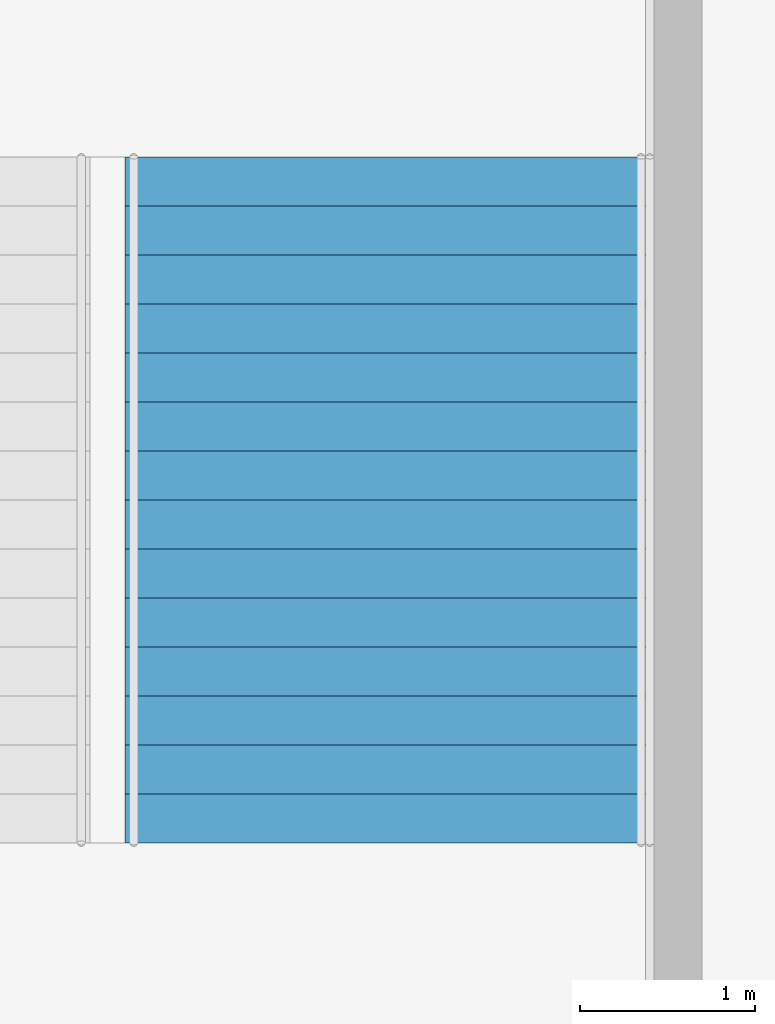
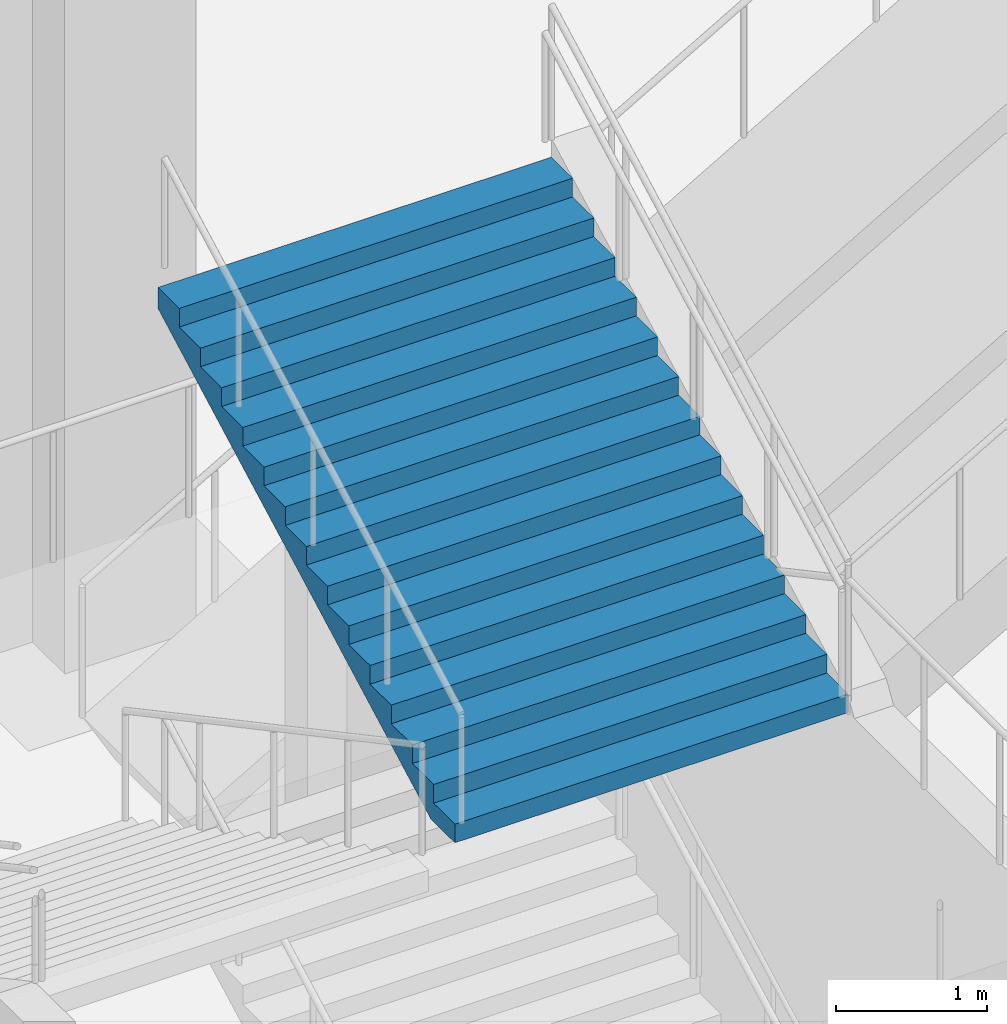
# One storey, part 99 of 113: 1 stair flight, 1 element without a shape of its own.
"""IFC4 building model written with IfcOpenShell, lengths in metres."""

from ifc_helpers import new_model, si_unit, direction, frame, origin, place, context, subcontext, project, spatial, triangles, material, type_object, element, aggregate, save


model = new_model("IFC4")

# Units and contexts
model_context = context("Model", 3, precision=1e-05, world=origin(), true_north=direction((0.0, 1.0)))
body_context = subcontext(model_context, "Body", "Model", "MODEL_VIEW")
ifc_project = project(units=[si_unit("LENGTHUNIT", "METRE"), si_unit("AREAUNIT", "SQUARE_METRE"), si_unit("VOLUMEUNIT", "CUBIC_METRE"), si_unit("PLANEANGLEUNIT", "RADIAN"), si_unit("MASSUNIT", "GRAM", prefix="KILO")], contexts=[model_context])

# Site, building, storey
site_placement = place(None, origin())
site = spatial("IfcSite", under=ifc_project, at=site_placement, CompositionType="ELEMENT")
building_placement = place(site_placement, origin())
building = spatial("IfcBuilding", under=site, at=building_placement, Name="Hakoniwa Tower and Hamabe Station Hall", CompositionType="ELEMENT")
storey_placement = place(building_placement, origin())
storey = spatial("IfcBuildingStorey", under=building, at=storey_placement, Name="L01", CompositionType="ELEMENT", Elevation=0.0)

# Stair, stair flight
ifc_material_1 = material(Name="Concrete C40", Category="concrete")
stair_type = type_object("IfcStairType", Name="STAIR 3000 15X150", PredefinedType="HALF_TURN_STAIR", material=ifc_material_1)
stair_placement = place(storey_placement, origin())
stair = element("IfcStair", 1, at=stair_placement, inside=storey, type_object=stair_type, Name="Concourse stair 1 L01-L02", PredefinedType="HALF_TURN_STAIR")
ifc_material_2 = material(Name="Concrete C40", Category="concrete")
stair_flight_type = type_object("IfcStairFlightType", Name="STAIR FLIGHT 3000", PredefinedType="STRAIGHT", material=ifc_material_2)
stair_flight_placement = place(storey_placement, frame((124.989990234375, -4.02001953125, 6.75), z_axis=(0.0, 0.0, 1.0), x_axis=(0.0, 1.0, 0.0)))
stair_flight = element("IfcStairFlight", 2, at=stair_flight_placement, type_object=stair_flight_type, Name="CS1 flight 4", NumberOfRisers=15, NumberOfTreads=14, PredefinedType="STRAIGHT", RiserHeight=0.15, TreadLength=0.28, context=body_context, shape_type="Tessellation", body=[
    triangles([(0.0, 1.5, 0.0), (0.280029296875, 1.5, 0.0), (0.3173828125, 1.5, 0.0), (0.56005859375, 1.5, 0.1298828125), (0.840087890625, 1.5, 0.280029296875), (1.1201171875, 1.5, 0.429931640625), (1.39990234375, 1.5, 0.579833984375), (1.679931640625, 1.5, 0.72998046875), (1.9599609375, 1.5, 0.8798828125), (2.239990234375, 1.5, 1.030029296875), (2.52001953125, 1.5, 1.179931640625), (2.800048828125, 1.5, 1.329833984375), (3.080078125, 1.5, 1.47998046875), (3.360107421875, 1.5, 1.6298828125), (3.639892578125, 1.5, 1.780029296875), (3.919921875, 1.5, 1.929931640625), (3.919921875, 1.5, 2.10009765625), (3.639892578125, 1.5, 2.10009765625), (3.639892578125, 1.5, 1.949951171875), (3.360107421875, 1.5, 1.949951171875), (3.360107421875, 1.5, 1.800048828125), (3.080078125, 1.5, 1.800048828125), (3.080078125, 1.5, 1.64990234375), (2.800048828125, 1.5, 1.64990234375), (2.800048828125, 1.5, 1.5), (2.52001953125, 1.5, 1.5), (2.52001953125, 1.5, 1.35009765625), (2.239990234375, 1.5, 1.35009765625), (2.239990234375, 1.5, 1.199951171875), (1.9599609375, 1.5, 1.199951171875), (1.9599609375, 1.5, 1.050048828125), (1.679931640625, 1.5, 1.050048828125), (1.679931640625, 1.5, 0.89990234375), (1.39990234375, 1.5, 0.89990234375), (1.39990234375, 1.5, 0.75), (1.1201171875, 1.5, 0.75), (1.1201171875, 1.5, 0.60009765625), (0.840087890625, 1.5, 0.60009765625), (0.840087890625, 1.5, 0.449951171875), (0.56005859375, 1.5, 0.449951171875), (0.56005859375, 1.5, 0.300048828125), (0.3173828125, 1.5, 0.300048828125), (0.280029296875, 1.5, 0.300048828125), (0.280029296875, 1.5, 0.14990234375), (0.0, 1.5, 0.14990234375), (0.0, 0.06005859375, 0.0), (0.280029296875, 0.06005859375, 0.0), (0.3173828125, 0.06005859375, 0.0), (0.56005859375, 0.06005859375, 0.1298828125), (0.840087890625, 0.06005859375, 0.280029296875), (1.1201171875, 0.06005859375, 0.429931640625), (1.39990234375, 0.06005859375, 0.579833984375), (1.679931640625, 0.06005859375, 0.72998046875), (1.9599609375, 0.06005859375, 0.8798828125), (2.239990234375, 0.06005859375, 1.030029296875), (2.52001953125, 0.06005859375, 1.179931640625), (2.800048828125, 0.06005859375, 1.329833984375), (3.080078125, 0.06005859375, 1.47998046875), (3.360107421875, 0.06005859375, 1.6298828125), (3.639892578125, 0.06005859375, 1.780029296875), (3.919921875, 0.06005859375, 1.929931640625), (3.919921875, 0.06005859375, 2.10009765625), (3.639892578125, 0.06005859375, 2.10009765625), (3.639892578125, 0.06005859375, 1.949951171875), (3.360107421875, 0.06005859375, 1.949951171875), (3.360107421875, 0.06005859375, 1.800048828125), (3.080078125, 0.06005859375, 1.800048828125), (3.080078125, 0.06005859375, 1.64990234375), (2.800048828125, 0.06005859375, 1.64990234375), (2.800048828125, 0.06005859375, 1.5), (2.52001953125, 0.06005859375, 1.5), (2.52001953125, 0.06005859375, 1.35009765625), (2.239990234375, 0.06005859375, 1.35009765625), (2.239990234375, 0.06005859375, 1.199951171875), (1.9599609375, 0.06005859375, 1.199951171875), (1.9599609375, 0.06005859375, 1.050048828125), (1.679931640625, 0.06005859375, 1.050048828125), (1.679931640625, 0.06005859375, 0.89990234375), (1.39990234375, 0.06005859375, 0.89990234375), (1.39990234375, 0.06005859375, 0.75), (1.1201171875, 0.06005859375, 0.75), (1.1201171875, 0.06005859375, 0.60009765625), (0.840087890625, 0.06005859375, 0.60009765625), (0.840087890625, 0.06005859375, 0.449951171875), (0.56005859375, 0.06005859375, 0.449951171875), (0.56005859375, 0.06005859375, 0.300048828125), (0.3173828125, 0.06005859375, 0.300048828125), (0.280029296875, 0.06005859375, 0.300048828125), (0.280029296875, 0.06005859375, 0.14990234375), (0.0, 0.06005859375, 0.14990234375), (0.0, 0.02001953125, 0.0), (0.280029296875, 0.02001953125, 0.0), (0.3173828125, 0.02001953125, 0.0), (0.56005859375, 0.02001953125, 0.1298828125), (0.840087890625, 0.02001953125, 0.280029296875), (1.1201171875, 0.02001953125, 0.429931640625), (1.39990234375, 0.02001953125, 0.579833984375), (1.679931640625, 0.02001953125, 0.72998046875), (1.9599609375, 0.02001953125, 0.8798828125), (2.239990234375, 0.02001953125, 1.030029296875), (2.52001953125, 0.02001953125, 1.179931640625), (2.800048828125, 0.02001953125, 1.329833984375), (3.080078125, 0.02001953125, 1.47998046875), (3.360107421875, 0.02001953125, 1.6298828125), (3.639892578125, 0.02001953125, 1.780029296875), (3.919921875, 0.02001953125, 1.929931640625), (3.919921875, 0.02001953125, 2.10009765625), (3.639892578125, 0.02001953125, 2.10009765625), (3.639892578125, 0.02001953125, 1.949951171875), (3.360107421875, 0.02001953125, 1.949951171875), (3.360107421875, 0.02001953125, 1.800048828125), (3.080078125, 0.02001953125, 1.800048828125), (3.080078125, 0.02001953125, 1.64990234375), (2.800048828125, 0.02001953125, 1.64990234375), (2.800048828125, 0.02001953125, 1.5), (2.52001953125, 0.02001953125, 1.5), (2.52001953125, 0.02001953125, 1.35009765625), (2.239990234375, 0.02001953125, 1.35009765625), (2.239990234375, 0.02001953125, 1.199951171875), (1.9599609375, 0.02001953125, 1.199951171875), (1.9599609375, 0.02001953125, 1.050048828125), (1.679931640625, 0.02001953125, 1.050048828125), (1.679931640625, 0.02001953125, 0.89990234375), (1.39990234375, 0.02001953125, 0.89990234375), (1.39990234375, 0.02001953125, 0.75), (1.1201171875, 0.02001953125, 0.75), (1.1201171875, 0.02001953125, 0.60009765625), (0.840087890625, 0.02001953125, 0.60009765625), (0.840087890625, 0.02001953125, 0.449951171875), (0.56005859375, 0.02001953125, 0.449951171875), (0.56005859375, 0.02001953125, 0.300048828125), (0.3173828125, 0.02001953125, 0.300048828125), (0.280029296875, 0.02001953125, 0.300048828125), (0.280029296875, 0.02001953125, 0.14990234375), (0.0, 0.02001953125, 0.14990234375), (0.0, -0.02001953125, 0.0), (0.280029296875, -0.02001953125, 0.0), (0.3173828125, -0.02001953125, 0.0), (0.56005859375, -0.02001953125, 0.1298828125), (0.840087890625, -0.02001953125, 0.280029296875), (1.1201171875, -0.02001953125, 0.429931640625), (1.39990234375, -0.02001953125, 0.579833984375), (1.679931640625, -0.02001953125, 0.72998046875), (1.9599609375, -0.02001953125, 0.8798828125), (2.239990234375, -0.02001953125, 1.030029296875), (2.52001953125, -0.02001953125, 1.179931640625), (2.800048828125, -0.02001953125, 1.329833984375), (3.080078125, -0.02001953125, 1.47998046875), (3.360107421875, -0.02001953125, 1.6298828125), (3.639892578125, -0.02001953125, 1.780029296875), (3.919921875, -0.02001953125, 1.929931640625), (3.919921875, -0.02001953125, 2.10009765625), (3.639892578125, -0.02001953125, 2.10009765625), (3.639892578125, -0.02001953125, 1.949951171875), (3.360107421875, -0.02001953125, 1.949951171875), (3.360107421875, -0.02001953125, 1.800048828125), (3.080078125, -0.02001953125, 1.800048828125), (3.080078125, -0.02001953125, 1.64990234375), (2.800048828125, -0.02001953125, 1.64990234375), (2.800048828125, -0.02001953125, 1.5), (2.52001953125, -0.02001953125, 1.5), (2.52001953125, -0.02001953125, 1.35009765625), (2.239990234375, -0.02001953125, 1.35009765625), (2.239990234375, -0.02001953125, 1.199951171875), (1.9599609375, -0.02001953125, 1.199951171875), (1.9599609375, -0.02001953125, 1.050048828125), (1.679931640625, -0.02001953125, 1.050048828125), (1.679931640625, -0.02001953125, 0.89990234375), (1.39990234375, -0.02001953125, 0.89990234375), (1.39990234375, -0.02001953125, 0.75), (1.1201171875, -0.02001953125, 0.75), (1.1201171875, -0.02001953125, 0.60009765625), (0.840087890625, -0.02001953125, 0.60009765625), (0.840087890625, -0.02001953125, 0.449951171875), (0.56005859375, -0.02001953125, 0.449951171875), (0.56005859375, -0.02001953125, 0.300048828125), (0.3173828125, -0.02001953125, 0.300048828125), (0.280029296875, -0.02001953125, 0.300048828125), (0.280029296875, -0.02001953125, 0.14990234375), (0.0, -0.02001953125, 0.14990234375), (0.0, -0.06005859375, 0.0), (0.280029296875, -0.06005859375, 0.0), (0.3173828125, -0.06005859375, 0.0), (0.56005859375, -0.06005859375, 0.1298828125), (0.840087890625, -0.06005859375, 0.280029296875), (1.1201171875, -0.06005859375, 0.429931640625), (1.39990234375, -0.06005859375, 0.579833984375), (1.679931640625, -0.06005859375, 0.72998046875), (1.9599609375, -0.06005859375, 0.8798828125), (2.239990234375, -0.06005859375, 1.030029296875), (2.52001953125, -0.06005859375, 1.179931640625), (2.800048828125, -0.06005859375, 1.329833984375), (3.080078125, -0.06005859375, 1.47998046875), (3.360107421875, -0.06005859375, 1.6298828125), (3.639892578125, -0.06005859375, 1.780029296875), (3.919921875, -0.06005859375, 1.929931640625), (3.919921875, -0.06005859375, 2.10009765625), (3.639892578125, -0.06005859375, 2.10009765625), (3.639892578125, -0.06005859375, 1.949951171875), (3.360107421875, -0.06005859375, 1.949951171875), (3.360107421875, -0.06005859375, 1.800048828125), (3.080078125, -0.06005859375, 1.800048828125), (3.080078125, -0.06005859375, 1.64990234375), (2.800048828125, -0.06005859375, 1.64990234375), (2.800048828125, -0.06005859375, 1.5), (2.52001953125, -0.06005859375, 1.5), (2.52001953125, -0.06005859375, 1.35009765625), (2.239990234375, -0.06005859375, 1.35009765625), (2.239990234375, -0.06005859375, 1.199951171875), (1.9599609375, -0.06005859375, 1.199951171875), (1.9599609375, -0.06005859375, 1.050048828125), (1.679931640625, -0.06005859375, 1.050048828125), (1.679931640625, -0.06005859375, 0.89990234375), (1.39990234375, -0.06005859375, 0.89990234375), (1.39990234375, -0.06005859375, 0.75), (1.1201171875, -0.06005859375, 0.75), (1.1201171875, -0.06005859375, 0.60009765625), (0.840087890625, -0.06005859375, 0.60009765625), (0.840087890625, -0.06005859375, 0.449951171875), (0.56005859375, -0.06005859375, 0.449951171875), (0.56005859375, -0.06005859375, 0.300048828125), (0.3173828125, -0.06005859375, 0.300048828125), (0.280029296875, -0.06005859375, 0.300048828125), (0.280029296875, -0.06005859375, 0.14990234375), (0.0, -0.06005859375, 0.14990234375), (0.0, -1.5, 0.0), (0.280029296875, -1.5, 0.0), (0.3173828125, -1.5, 0.0), (0.56005859375, -1.5, 0.1298828125), (0.840087890625, -1.5, 0.280029296875), (1.1201171875, -1.5, 0.429931640625), (1.39990234375, -1.5, 0.579833984375), (1.679931640625, -1.5, 0.72998046875), (1.9599609375, -1.5, 0.8798828125), (2.239990234375, -1.5, 1.030029296875), (2.52001953125, -1.5, 1.179931640625), (2.800048828125, -1.5, 1.329833984375), (3.080078125, -1.5, 1.47998046875), (3.360107421875, -1.5, 1.6298828125), (3.639892578125, -1.5, 1.780029296875), (3.919921875, -1.5, 1.929931640625), (3.919921875, -1.5, 2.10009765625), (3.639892578125, -1.5, 2.10009765625), (3.639892578125, -1.5, 1.949951171875), (3.360107421875, -1.5, 1.949951171875), (3.360107421875, -1.5, 1.800048828125), (3.080078125, -1.5, 1.800048828125), (3.080078125, -1.5, 1.64990234375), (2.800048828125, -1.5, 1.64990234375), (2.800048828125, -1.5, 1.5), (2.52001953125, -1.5, 1.5), (2.52001953125, -1.5, 1.35009765625), (2.239990234375, -1.5, 1.35009765625), (2.239990234375, -1.5, 1.199951171875), (1.9599609375, -1.5, 1.199951171875), (1.9599609375, -1.5, 1.050048828125), (1.679931640625, -1.5, 1.050048828125), (1.679931640625, -1.5, 0.89990234375), (1.39990234375, -1.5, 0.89990234375), (1.39990234375, -1.5, 0.75), (1.1201171875, -1.5, 0.75), (1.1201171875, -1.5, 0.60009765625), (0.840087890625, -1.5, 0.60009765625), (0.840087890625, -1.5, 0.449951171875), (0.56005859375, -1.5, 0.449951171875), (0.56005859375, -1.5, 0.300048828125), (0.3173828125, -1.5, 0.300048828125), (0.280029296875, -1.5, 0.300048828125), (0.280029296875, -1.5, 0.14990234375), (0.0, -1.5, 0.14990234375)], [[2, 45, 44], [227, 269, 270], [2, 1, 45], [227, 270, 226], [3, 43, 42], [228, 267, 268], [3, 44, 43], [228, 268, 269], [3, 2, 44], [228, 269, 227], [4, 42, 41], [229, 266, 267], [4, 3, 42], [229, 267, 228], [5, 40, 39], [230, 264, 265], [5, 41, 40], [230, 265, 266], [5, 4, 41], [230, 266, 229], [6, 38, 37], [231, 262, 263], [6, 39, 38], [231, 263, 264], [6, 5, 39], [231, 264, 230], [7, 36, 35], [232, 260, 261], [7, 37, 36], [232, 261, 262], [7, 6, 37], [232, 262, 231], [8, 34, 33], [233, 258, 259], [8, 35, 34], [233, 259, 260], [8, 7, 35], [233, 260, 232], [9, 32, 31], [234, 256, 257], [9, 33, 32], [234, 257, 258], [9, 8, 33], [234, 258, 233], [10, 30, 29], [235, 254, 255], [10, 31, 30], [235, 255, 256], [10, 9, 31], [235, 256, 234], [11, 28, 27], [236, 252, 253], [11, 29, 28], [236, 253, 254], [11, 10, 29], [236, 254, 235], [12, 26, 25], [237, 250, 251], [12, 27, 26], [237, 251, 252], [12, 11, 27], [237, 252, 236], [13, 24, 23], [238, 248, 249], [13, 25, 24], [238, 249, 250], [13, 12, 25], [238, 250, 237], [14, 22, 21], [239, 246, 247], [14, 23, 22], [239, 247, 248], [14, 13, 23], [239, 248, 238], [15, 20, 19], [240, 244, 245], [15, 21, 20], [240, 245, 246], [15, 14, 21], [240, 246, 239], [16, 18, 17], [241, 242, 243], [16, 19, 18], [241, 243, 244], [16, 15, 19], [241, 244, 240], [1, 2, 47], [1, 47, 46], [46, 47, 92], [46, 92, 91], [91, 92, 137], [91, 137, 136], [136, 137, 182], [136, 182, 181], [181, 182, 227], [181, 227, 226], [2, 3, 48], [2, 48, 47], [47, 48, 93], [47, 93, 92], [92, 93, 138], [92, 138, 137], [137, 138, 183], [137, 183, 182], [182, 183, 228], [182, 228, 227], [3, 4, 49], [3, 49, 48], [48, 49, 94], [48, 94, 93], [93, 94, 139], [93, 139, 138], [138, 139, 184], [138, 184, 183], [183, 184, 229], [183, 229, 228], [4, 5, 50], [4, 50, 49], [49, 50, 95], [49, 95, 94], [94, 95, 140], [94, 140, 139], [139, 140, 185], [139, 185, 184], [184, 185, 230], [184, 230, 229], [5, 6, 51], [5, 51, 50], [50, 51, 96], [50, 96, 95], [95, 96, 141], [95, 141, 140], [140, 141, 186], [140, 186, 185], [185, 186, 231], [185, 231, 230], [6, 7, 52], [6, 52, 51], [51, 52, 97], [51, 97, 96], [96, 97, 142], [96, 142, 141], [141, 142, 187], [141, 187, 186], [186, 187, 232], [186, 232, 231], [7, 8, 53], [7, 53, 52], [52, 53, 98], [52, 98, 97], [97, 98, 143], [97, 143, 142], [142, 143, 188], [142, 188, 187], [187, 188, 233], [187, 233, 232], [8, 9, 54], [8, 54, 53], [53, 54, 99], [53, 99, 98], [98, 99, 144], [98, 144, 143], [143, 144, 189], [143, 189, 188], [188, 189, 234], [188, 234, 233], [9, 10, 55], [9, 55, 54], [54, 55, 100], [54, 100, 99], [99, 100, 145], [99, 145, 144], [144, 145, 190], [144, 190, 189], [189, 190, 235], [189, 235, 234], [10, 11, 56], [10, 56, 55], [55, 56, 101], [55, 101, 100], [100, 101, 146], [100, 146, 145], [145, 146, 191], [145, 191, 190], [190, 191, 236], [190, 236, 235], [11, 12, 57], [11, 57, 56], [56, 57, 102], [56, 102, 101], [101, 102, 147], [101, 147, 146], [146, 147, 192], [146, 192, 191], [191, 192, 237], [191, 237, 236], [12, 13, 58], [12, 58, 57], [57, 58, 103], [57, 103, 102], [102, 103, 148], [102, 148, 147], [147, 148, 193], [147, 193, 192], [192, 193, 238], [192, 238, 237], [13, 14, 59], [13, 59, 58], [58, 59, 104], [58, 104, 103], [103, 104, 149], [103, 149, 148], [148, 149, 194], [148, 194, 193], [193, 194, 239], [193, 239, 238], [14, 15, 60], [14, 60, 59], [59, 60, 105], [59, 105, 104], [104, 105, 150], [104, 150, 149], [149, 150, 195], [149, 195, 194], [194, 195, 240], [194, 240, 239], [15, 16, 61], [15, 61, 60], [60, 61, 106], [60, 106, 105], [105, 106, 151], [105, 151, 150], [150, 151, 196], [150, 196, 195], [195, 196, 241], [195, 241, 240], [16, 17, 62], [16, 62, 61], [61, 62, 107], [61, 107, 106], [106, 107, 152], [106, 152, 151], [151, 152, 197], [151, 197, 196], [196, 197, 242], [196, 242, 241], [17, 18, 63], [17, 63, 62], [62, 63, 108], [62, 108, 107], [107, 108, 153], [107, 153, 152], [152, 153, 198], [152, 198, 197], [197, 198, 243], [197, 243, 242], [18, 19, 64], [18, 64, 63], [63, 64, 109], [63, 109, 108], [108, 109, 154], [108, 154, 153], [153, 154, 199], [153, 199, 198], [198, 199, 244], [198, 244, 243], [19, 20, 65], [19, 65, 64], [64, 65, 110], [64, 110, 109], [109, 110, 155], [109, 155, 154], [154, 155, 200], [154, 200, 199], [199, 200, 245], [199, 245, 244], [20, 21, 66], [20, 66, 65], [65, 66, 111], [65, 111, 110], [110, 111, 156], [110, 156, 155], [155, 156, 201], [155, 201, 200], [200, 201, 246], [200, 246, 245], [21, 22, 67], [21, 67, 66], [66, 67, 112], [66, 112, 111], [111, 112, 157], [111, 157, 156], [156, 157, 202], [156, 202, 201], [201, 202, 247], [201, 247, 246], [22, 23, 68], [22, 68, 67], [67, 68, 113], [67, 113, 112], [112, 113, 158], [112, 158, 157], [157, 158, 203], [157, 203, 202], [202, 203, 248], [202, 248, 247], [23, 24, 69], [23, 69, 68], [68, 69, 114], [68, 114, 113], [113, 114, 159], [113, 159, 158], [158, 159, 204], [158, 204, 203], [203, 204, 249], [203, 249, 248], [24, 25, 70], [24, 70, 69], [69, 70, 115], [69, 115, 114], [114, 115, 160], [114, 160, 159], [159, 160, 205], [159, 205, 204], [204, 205, 250], [204, 250, 249], [25, 26, 71], [25, 71, 70], [70, 71, 116], [70, 116, 115], [115, 116, 161], [115, 161, 160], [160, 161, 206], [160, 206, 205], [205, 206, 251], [205, 251, 250], [26, 27, 72], [26, 72, 71], [71, 72, 117], [71, 117, 116], [116, 117, 162], [116, 162, 161], [161, 162, 207], [161, 207, 206], [206, 207, 252], [206, 252, 251], [27, 28, 73], [27, 73, 72], [72, 73, 118], [72, 118, 117], [117, 118, 163], [117, 163, 162], [162, 163, 208], [162, 208, 207], [207, 208, 253], [207, 253, 252], [28, 29, 74], [28, 74, 73], [73, 74, 119], [73, 119, 118], [118, 119, 164], [118, 164, 163], [163, 164, 209], [163, 209, 208], [208, 209, 254], [208, 254, 253], [29, 30, 75], [29, 75, 74], [74, 75, 120], [74, 120, 119], [119, 120, 165], [119, 165, 164], [164, 165, 210], [164, 210, 209], [209, 210, 255], [209, 255, 254], [30, 31, 76], [30, 76, 75], [75, 76, 121], [75, 121, 120], [120, 121, 166], [120, 166, 165], [165, 166, 211], [165, 211, 210], [210, 211, 256], [210, 256, 255], [31, 32, 77], [31, 77, 76], [76, 77, 122], [76, 122, 121], [121, 122, 167], [121, 167, 166], [166, 167, 212], [166, 212, 211], [211, 212, 257], [211, 257, 256], [32, 33, 78], [32, 78, 77], [77, 78, 123], [77, 123, 122], [122, 123, 168], [122, 168, 167], [167, 168, 213], [167, 213, 212], [212, 213, 258], [212, 258, 257], [33, 34, 79], [33, 79, 78], [78, 79, 124], [78, 124, 123], [123, 124, 169], [123, 169, 168], [168, 169, 214], [168, 214, 213], [213, 214, 259], [213, 259, 258], [34, 35, 80], [34, 80, 79], [79, 80, 125], [79, 125, 124], [124, 125, 170], [124, 170, 169], [169, 170, 215], [169, 215, 214], [214, 215, 260], [214, 260, 259], [35, 36, 81], [35, 81, 80], [80, 81, 126], [80, 126, 125], [125, 126, 171], [125, 171, 170], [170, 171, 216], [170, 216, 215], [215, 216, 261], [215, 261, 260], [36, 37, 82], [36, 82, 81], [81, 82, 127], [81, 127, 126], [126, 127, 172], [126, 172, 171], [171, 172, 217], [171, 217, 216], [216, 217, 262], [216, 262, 261], [37, 38, 83], [37, 83, 82], [82, 83, 128], [82, 128, 127], [127, 128, 173], [127, 173, 172], [172, 173, 218], [172, 218, 217], [217, 218, 263], [217, 263, 262], [38, 39, 84], [38, 84, 83], [83, 84, 129], [83, 129, 128], [128, 129, 174], [128, 174, 173], [173, 174, 219], [173, 219, 218], [218, 219, 264], [218, 264, 263], [39, 40, 85], [39, 85, 84], [84, 85, 130], [84, 130, 129], [129, 130, 175], [129, 175, 174], [174, 175, 220], [174, 220, 219], [219, 220, 265], [219, 265, 264], [40, 41, 86], [40, 86, 85], [85, 86, 131], [85, 131, 130], [130, 131, 176], [130, 176, 175], [175, 176, 221], [175, 221, 220], [220, 221, 266], [220, 266, 265], [41, 42, 87], [41, 87, 86], [86, 87, 132], [86, 132, 131], [131, 132, 177], [131, 177, 176], [176, 177, 222], [176, 222, 221], [221, 222, 267], [221, 267, 266], [42, 43, 88], [42, 88, 87], [87, 88, 133], [87, 133, 132], [132, 133, 178], [132, 178, 177], [177, 178, 223], [177, 223, 222], [222, 223, 268], [222, 268, 267], [43, 44, 89], [43, 89, 88], [88, 89, 134], [88, 134, 133], [133, 134, 179], [133, 179, 178], [178, 179, 224], [178, 224, 223], [223, 224, 269], [223, 269, 268], [44, 45, 90], [44, 90, 89], [89, 90, 135], [89, 135, 134], [134, 135, 180], [134, 180, 179], [179, 180, 225], [179, 225, 224], [224, 225, 270], [224, 270, 269], [45, 1, 46], [45, 46, 90], [90, 46, 91], [90, 91, 135], [135, 91, 136], [135, 136, 180], [180, 136, 181], [180, 181, 225], [225, 181, 226], [225, 226, 270]], closed=True),
])
aggregate(stair, [stair_flight])

save(model, "model.ifc")
